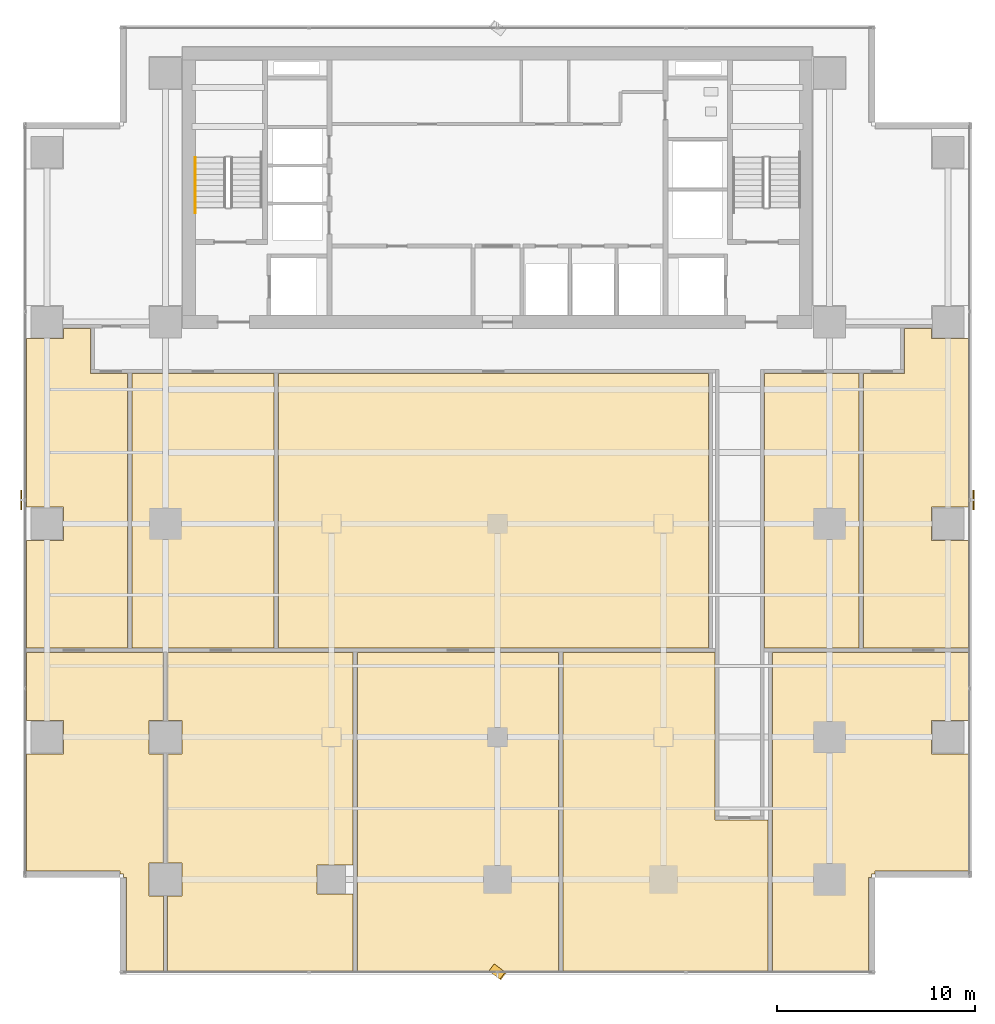
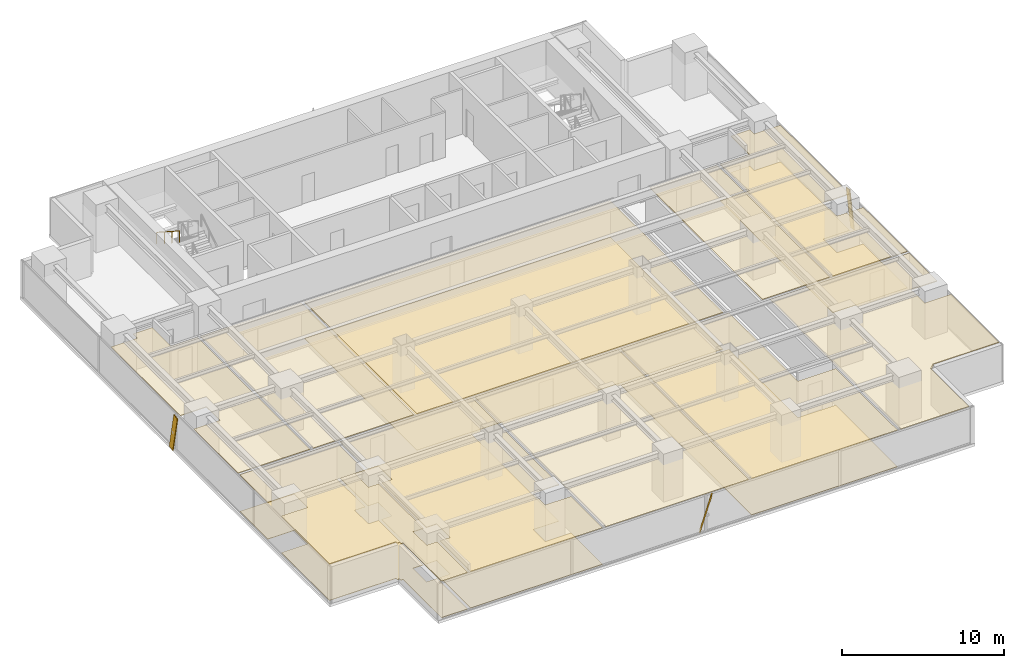
# One storey, part 24 of 28: 15 coverings, 3 shading devices, 1 railing.
"""IFC4 building model written with IfcOpenShell, lengths in metres."""

import ifcopenshell
import ifcopenshell.guid

model = None  # the IFC model being written
_history = None  # IfcOwnerHistory: only IFC2X3 demands one
_inside = {}  # id of a spatial element -> (the spatial element, [elements in it])
_under = {}  # id of a project, library or spatial element -> (it, [spatial elements below it])
_declared = {}  # id of a project -> (the project, [libraries it declares])
_typed = {}  # id of a type object -> (the type object, [elements of that type])
_made_of = {}  # id of a material, layer set ... -> (it, [elements and type objects made of it])


def new_model(schema):
    """Start an empty IFC model of exactly this schema.

    Asked for "IFC4X3", IfcOpenShell would pick the latest addendum, in which some entities
    have other attributes; the version numbers below select the first issue.
    IFC2X3 requires an IfcOwnerHistory on every rooted entity: one is made here for all.
    """
    global model, _history
    if schema == "IFC4X3":
        model = ifcopenshell.file(schema_version=(4, 3, 0, 0))
    else:
        model = ifcopenshell.file(schema=schema)
    _inside.clear()
    _under.clear()
    _declared.clear()
    _typed.clear()
    _made_of.clear()
    _history = None
    if model.schema == "IFC2X3":
        org = make("IfcOrganization", Name="unknown")
        user = make(
            "IfcPersonAndOrganization",
            ThePerson=make("IfcPerson", FamilyName="unknown"),
            TheOrganization=org,
        )
        app = make(
            "IfcApplication",
            ApplicationDeveloper=org,
            Version="unknown",
            ApplicationFullName="unknown",
            ApplicationIdentifier="unknown",
        )
        _history = make(
            "IfcOwnerHistory",
            OwningUser=user,
            OwningApplication=app,
            ChangeAction="ADDED",
            CreationDate=0,
        )
    return model


def make(cls, **values):
    """One entity of the class cls with the attributes given. An attribute that is None is left unset."""
    return model.create_entity(
        cls, **{name: value for name, value in values.items() if value is not None}
    )


def rooted(cls, **values):
    """An entity with a GlobalId (a new one), such as an element, a storey or a relation."""
    return make(cls, GlobalId=ifcopenshell.guid.new(), OwnerHistory=_history, **values)


def si_unit(unit_type, name, prefix=None):
    """IfcSIUnit, for example si_unit("LENGTHUNIT", "METRE", prefix="MILLI")."""
    return make("IfcSIUnit", UnitType=unit_type, Prefix=prefix, Name=name)


def assignment(units):
    """IfcUnitAssignment: the units of a project."""
    return None if units is None else make("IfcUnitAssignment", Units=units)


def point(xyz):
    """IfcCartesianPoint."""
    return None if xyz is None else make("IfcCartesianPoint", Coordinates=xyz)


def direction(xyz):
    """IfcDirection."""
    return None if xyz is None else make("IfcDirection", DirectionRatios=xyz)


def frame(location, z_axis=None, x_axis=None):
    """IfcAxis2Placement3D, a coordinate frame: its origin and axes. An axis left out is left unset."""
    return make(
        "IfcAxis2Placement3D",
        Location=point(location),
        Axis=direction(z_axis),
        RefDirection=direction(x_axis),
    )


def frame_2d(location, x_axis=None):
    """IfcAxis2Placement2D, a coordinate frame in the plane: its origin and x axis."""
    return make(
        "IfcAxis2Placement2D", Location=point(location), RefDirection=direction(x_axis)
    )


def origin():
    """The frame at (0, 0, 0) with its axes left unset."""
    return frame((0.0, 0.0, 0.0))


def origin_2d():
    """The frame at (0, 0) in the plane with its x axis left unset."""
    return frame_2d((0.0, 0.0))


def place(relative_to, where):
    """IfcLocalPlacement: puts the frame where relative to a parent placement (None: the world)."""
    return make(
        "IfcLocalPlacement", PlacementRelTo=relative_to, RelativePlacement=where
    )


def context(
    kind, dimensions, precision=None, world=None, true_north=None, identifier=None
):
    """IfcGeometricRepresentationContext, for example the 3D "Model" context."""
    return make(
        "IfcGeometricRepresentationContext",
        ContextIdentifier=identifier,
        ContextType=kind,
        CoordinateSpaceDimension=dimensions,
        Precision=precision,
        WorldCoordinateSystem=world,
        TrueNorth=true_north,
    )


def subcontext(parent, identifier, kind, view, scale=None):
    """IfcGeometricRepresentationSubContext, for example "Body" below "Model"."""
    return make(
        "IfcGeometricRepresentationSubContext",
        ContextIdentifier=identifier,
        ContextType=kind,
        ParentContext=parent,
        TargetScale=scale,
        TargetView=view,
    )


def project(units=None, contexts=None):
    """IfcProject with its units and contexts."""
    return rooted(
        "IfcProject",
        Name="project",
        RepresentationContexts=contexts,
        UnitsInContext=assignment(units),
    )


def spatial(cls, under=None, at=None, **own):
    """A site, building, storey or space (cls), placed at a placement, below another one or the project."""
    s = rooted(cls, ObjectPlacement=at, **own)
    if under is not None:
        _under.setdefault(under.id(), (under, []))[1].append(s)
    return s


def polyline(points):
    """IfcPolyline through the points."""
    return make("IfcPolyline", Points=[point(p) for p in points])


def profile(cls, at=None, kind="AREA", **sizes):
    """A parametric profile (cls). Its sizes go by their IFC names, for example OverallWidth=200.0."""
    return make(cls, ProfileType=kind, Position=at, **sizes)


def rectangle(**sizes):
    """IfcRectangleProfileDef."""
    return profile("IfcRectangleProfileDef", **sizes)


def outline(outer, holes=None, kind="AREA"):
    """IfcArbitraryClosedProfileDef: a profile drawn as a closed curve; with holes, ...WithVoids."""
    if holes is None:
        return make("IfcArbitraryClosedProfileDef", ProfileType=kind, OuterCurve=outer)
    return make(
        "IfcArbitraryProfileDefWithVoids",
        ProfileType=kind,
        OuterCurve=outer,
        InnerCurves=holes,
    )


def extrude(swept, where, along, depth):
    """IfcExtrudedAreaSolid: the profile swept, set in the frame where, extruded along a direction by depth."""
    return make(
        "IfcExtrudedAreaSolid",
        SweptArea=swept,
        Position=where,
        ExtrudedDirection=direction(along),
        Depth=depth,
    )


def shape(context_of_items, identifier, shape_type, items):
    """IfcShapeRepresentation: the items that make up one representation, for example the "Body"."""
    return make(
        "IfcShapeRepresentation",
        ContextOfItems=context_of_items,
        RepresentationIdentifier=identifier,
        RepresentationType=shape_type,
        Items=items,
    )


def source(mapping_origin, context_of_items, identifier, shape_type, items):
    """IfcRepresentationMap: a shape defined once, which mapped items show again and again."""
    return make(
        "IfcRepresentationMap",
        MappingOrigin=mapping_origin,
        MappedRepresentation=shape(context_of_items, identifier, shape_type, items),
    )


def transform(
    local_origin,
    x_axis=None,
    y_axis=None,
    z_axis=None,
    scale=None,
    scale2=None,
    scale3=None,
    uniform=True,
):
    """IfcCartesianTransformationOperator3D, or its non-uniform kind. x_axis, y_axis, z_axis: its Axis1, 2, 3."""
    if uniform:
        return make(
            "IfcCartesianTransformationOperator3D",
            Axis1=direction(x_axis),
            Axis2=direction(y_axis),
            LocalOrigin=point(local_origin),
            Scale=scale,
            Axis3=direction(z_axis),
        )
    return make(
        "IfcCartesianTransformationOperator3DnonUniform",
        Axis1=direction(x_axis),
        Axis2=direction(y_axis),
        LocalOrigin=point(local_origin),
        Scale=scale,
        Axis3=direction(z_axis),
        Scale2=scale2,
        Scale3=scale3,
    )


def mapped(mapping_source, mapping_target):
    """IfcMappedItem: shows the shape of a source again, moved by a transform."""
    return make(
        "IfcMappedItem", MappingSource=mapping_source, MappingTarget=mapping_target
    )


def material(Name=None, Category=None):
    """IfcMaterial."""
    return make("IfcMaterial", Name=Name, Category=Category)


def layer(
    of_material, thickness, ventilated=None, Name=None, Category=None, Priority=None
):
    """IfcMaterialLayer: one layer of a wall or slab, of a material (None: an air gap)."""
    return make(
        "IfcMaterialLayer",
        Material=of_material,
        LayerThickness=thickness,
        IsVentilated=ventilated,
        Name=Name,
        Category=Category,
        Priority=Priority,
    )


def layer_set(layers, Name=None):
    """IfcMaterialLayerSet."""
    return make("IfcMaterialLayerSet", MaterialLayers=layers, LayerSetName=Name)


def material_profile(
    of_material, cross_section, Name=None, Category=None, Priority=None
):
    """IfcMaterialProfile: a cross section and its material."""
    return make(
        "IfcMaterialProfile",
        Name=Name,
        Material=of_material,
        Profile=cross_section,
        Priority=Priority,
        Category=Category,
    )


def profile_set(profiles, Name=None, composite=None):
    """IfcMaterialProfileSet."""
    return make(
        "IfcMaterialProfileSet",
        Name=Name,
        MaterialProfiles=profiles,
        CompositeProfile=composite,
    )


def made_of(thing, what):
    """Note that an element or type object is made of a material, layer set ...; save() writes the relation."""
    if what is not None:
        _made_of.setdefault(what.id(), (what, []))[1].append(thing)
    return thing


def type_object(cls, material=None, **own):
    """A type object (cls), such as IfcWallType, which elements share."""
    return made_of(rooted(cls, **own), material)


def element(
    cls,
    number,
    at=None,
    inside=None,
    cuts=None,
    type_object=None,
    material=None,
    context=None,
    identifier="Body",
    shape_type=None,
    held_by="IfcProductDefinitionShape",
    body=None,
    shapes=None,
    **own,
):
    """One element of the class cls, such as IfcWall. Its Tag is "e" and its number.

    at: its placement. inside: the storey or other place that contains it. cuts: it is an
    opening in that element (IfcRelVoidsElement). A single representation is given by context,
    identifier, shape_type and body (its items); several are given by shapes. held_by: the class
    of the entity that holds the representations. save() writes the other relations.
    """
    e = rooted(cls, Tag="e%d" % number, ObjectPlacement=at, **own)
    if body is not None:
        shapes = [shape(context, identifier, shape_type, body)]
    if shapes is not None:
        e.Representation = make(held_by, Representations=shapes)
    if inside is not None:
        _inside.setdefault(inside.id(), (inside, []))[1].append(e)
    if cuts is not None:
        rooted(
            "IfcRelVoidsElement", RelatingBuildingElement=cuts, RelatedOpeningElement=e
        )
    if type_object is not None:
        _typed.setdefault(type_object.id(), (type_object, []))[1].append(e)
    return made_of(e, material)


def aggregate(whole, parts):
    """IfcRelAggregates: a whole, such as a stair, and the parts it consists of."""
    return rooted("IfcRelAggregates", RelatingObject=whole, RelatedObjects=parts)


def save(model, path):
    """Write the relations noted so far, then the file.

    IfcRelAggregates (storeys below a building ...), IfcRelContainedInSpatialStructure (elements
    in a storey), IfcRelDefinesByType, IfcRelAssociatesMaterial and IfcRelDeclares: one each for
    every whole, place, type object, material and project.
    """
    for whole, parts in _under.values():
        aggregate(whole, parts)
    for where, things in _inside.values():
        rooted(
            "IfcRelContainedInSpatialStructure",
            RelatedElements=things,
            RelatingStructure=where,
        )
    for kind, things in _typed.values():
        rooted("IfcRelDefinesByType", RelatedObjects=things, RelatingType=kind)
    for what, things in _made_of.values():
        rooted("IfcRelAssociatesMaterial", RelatedObjects=things, RelatingMaterial=what)
    for by, libraries in _declared.values():
        rooted("IfcRelDeclares", RelatingContext=by, RelatedDefinitions=libraries)
    model.write(path)


model = new_model("IFC4")

# Units and contexts
model_context = context("Model", 3, precision=1e-05, world=origin(), true_north=direction((0.0, 1.0)))
body_context = subcontext(model_context, "Body", "Model", "MODEL_VIEW")
ifc_project = project(units=[si_unit("LENGTHUNIT", "METRE"), si_unit("AREAUNIT", "SQUARE_METRE"), si_unit("VOLUMEUNIT", "CUBIC_METRE"), si_unit("PLANEANGLEUNIT", "RADIAN"), si_unit("MASSUNIT", "GRAM", prefix="KILO")], contexts=[model_context])

# Site, building, storey
site_placement = place(None, origin())
site = spatial("IfcSite", under=ifc_project, at=site_placement, CompositionType="ELEMENT")
building_placement = place(site_placement, origin())
building = spatial("IfcBuilding", under=site, at=building_placement, Name="Sumidabori Civic Tower", CompositionType="ELEMENT")
storey_placement = place(building_placement, frame((0.0, 0.0, 171.199951171875)))
storey = spatial("IfcBuildingStorey", under=building, at=storey_placement, Name="L44", CompositionType="ELEMENT", Elevation=171.199951171875)

# Coverings
ifc_material_1 = material(Name="Anodised Bronze Baffle Ceiling")
ifc_layer_1 = layer(ifc_material_1, 0.054931640625, Name="Anodised Bronze Baffle Ceiling")
ifc_layer_set_1 = layer_set([ifc_layer_1], Name="Anodised Bronze Baffle Ceiling")
covering_type_1 = type_object("IfcCoveringType", Name="CV-CEIL-AC3", PredefinedType="CEILING", material=ifc_layer_set_1)
covering_1_placement = place(storey_placement, frame((0.0, 0.0, 2.72998046875)))
element("IfcCovering", 1, at=covering_1_placement, inside=storey, type_object=covering_type_1, Name="Room Acoustic Ceiling L44-02", PredefinedType="CEILING", context=body_context, shape_type="SweptSolid", body=[
    extrude(outline(polyline([(-21.9599609375, 9.360107421875), (-21.9599609375, 9.889892578125), (-20.60009765625, 9.889892578125), (-20.60009765625, 7.60009765625), (-18.7099609375, 7.60009765625), (-18.7099609375, -6.2900390625), (-23.830078125, -6.2900390625), (-23.830078125, -0.840087890625), (-21.9599609375, -0.840087890625), (-21.9599609375, 0.840087890625), (-23.830078125, 0.840087890625), (-23.830078125, 9.360107421875), (-21.9599609375, 9.360107421875)])), origin(), (0.0, 0.0, 1.0), 0.05517578125),
])
covering_2_placement = place(storey_placement, frame((0.0, 0.0, 2.72998046875)))
element("IfcCovering", 2, at=covering_2_placement, inside=storey, type_object=covering_type_1, Name="Room Acoustic Ceiling L44-03", PredefinedType="CEILING", context=body_context, shape_type="SweptSolid", body=[
    extrude(outline(polyline([(18.510009765625, 7.60009765625), (20.60009765625, 7.60009765625), (20.60009765625, 9.889892578125), (21.9599609375, 9.889892578125), (21.9599609375, 9.360107421875), (23.830078125, 9.360107421875), (23.830078125, 0.840087890625), (21.9599609375, 0.840087890625), (21.9599609375, -0.840087890625), (23.830078125, -0.840087890625), (23.830078125, -6.2900390625), (18.510009765625, -6.2900390625), (18.510009765625, 7.60009765625)])), origin(), (0.0, 0.0, 1.0), 0.05517578125),
])
covering_3_placement = place(storey_placement, frame((0.0, 0.0, 2.72998046875)))
element("IfcCovering", 3, at=covering_3_placement, inside=storey, type_object=covering_type_1, Name="Room Acoustic Ceiling L44-04", PredefinedType="CEILING", context=body_context, shape_type="SweptSolid", body=[
    extrude(outline(polyline([(-18.489990234375, 7.60009765625), (-11.31005859375, 7.60009765625), (-11.31005859375, -6.2900390625), (-18.489990234375, -6.2900390625), (-18.489990234375, 7.60009765625)])), origin(), (0.0, 0.0, 1.0), 0.05517578125),
])
covering_4_placement = place(storey_placement, frame((0.0, 0.0, 2.72998046875)))
element("IfcCovering", 4, at=covering_4_placement, inside=storey, type_object=covering_type_1, Name="Room Acoustic Ceiling L44-05", PredefinedType="CEILING", context=body_context, shape_type="SweptSolid", body=[
    extrude(outline(polyline([(-11.090087890625, 7.60009765625), (10.68994140625, 7.60009765625), (10.68994140625, -6.2900390625), (-11.090087890625, -6.2900390625), (-11.090087890625, 7.60009765625)])), origin(), (0.0, 0.0, 1.0), 0.05517578125),
])
covering_5_placement = place(storey_placement, frame((0.0, 0.0, 2.72998046875)))
element("IfcCovering", 5, at=covering_5_placement, inside=storey, type_object=covering_type_1, Name="Room Acoustic Ceiling L44-06", PredefinedType="CEILING", context=body_context, shape_type="SweptSolid", body=[
    extrude(outline(polyline([(13.5, 7.60009765625), (18.2900390625, 7.60009765625), (18.2900390625, -6.2900390625), (13.5, -6.2900390625), (13.5, 7.60009765625)])), origin(), (0.0, 0.0, 1.0), 0.05517578125),
])
covering_6_placement = place(storey_placement, frame((0.0, 0.0, 2.72998046875)))
element("IfcCovering", 6, at=covering_6_placement, inside=storey, type_object=covering_type_1, Name="Room Acoustic Ceiling L44-07", PredefinedType="CEILING", context=body_context, shape_type="SweptSolid", body=[
    extrude(outline(polyline([(-21.9599609375, -11.639892578125), (-21.9599609375, -9.9599609375), (-23.830078125, -9.9599609375), (-23.830078125, -6.510009765625), (-16.909912109375, -6.510009765625), (-16.909912109375, -9.9599609375), (-17.639892578125, -9.9599609375), (-17.639892578125, -11.639892578125), (-16.909912109375, -11.639892578125), (-16.909912109375, -17.159912109375), (-17.639892578125, -17.159912109375), (-17.639892578125, -18.840087890625), (-16.909912109375, -18.840087890625), (-16.909912109375, -22.6298828125), (-18.77197265625, -22.6298828125), (-18.77197265625, -17.89208984375), (-18.929931640625, -17.89208984375), (-18.929931640625, -17.72998046875), (-19.092041015625, -17.72998046875), (-19.092041015625, -17.572021484375), (-23.830078125, -17.572021484375), (-23.830078125, -11.639892578125), (-21.9599609375, -11.639892578125)])), origin(), (0.0, 0.0, 1.0), 0.05517578125),
])
covering_7_placement = place(storey_placement, frame((0.0, 0.0, 2.72998046875)))
element("IfcCovering", 7, at=covering_7_placement, inside=storey, type_object=covering_type_1, Name="Room Acoustic Ceiling L44-08", PredefinedType="CEILING", context=body_context, shape_type="SweptSolid", body=[
    extrude(outline(polyline([(13.909912109375, -6.510009765625), (23.830078125, -6.510009765625), (23.830078125, -9.9599609375), (21.9599609375, -9.9599609375), (21.9599609375, -11.639892578125), (23.830078125, -11.639892578125), (23.830078125, -17.572021484375), (19.092041015625, -17.572021484375), (19.092041015625, -17.72998046875), (18.929931640625, -17.72998046875), (18.929931640625, -17.89208984375), (18.77197265625, -17.89208984375), (18.77197265625, -22.6298828125), (13.909912109375, -22.6298828125), (13.909912109375, -6.510009765625)])), origin(), (0.0, 0.0, 1.0), 0.05517578125),
])
covering_8_placement = place(storey_placement, frame((0.0, 0.0, 2.72998046875)))
element("IfcCovering", 8, at=covering_8_placement, inside=storey, type_object=covering_type_1, Name="Room Acoustic Ceiling L44-09", PredefinedType="CEILING", context=body_context, shape_type="SweptSolid", body=[
    extrude(outline(polyline([(-16.68994140625, -18.840087890625), (-15.9599609375, -18.840087890625), (-15.9599609375, -17.159912109375), (-16.68994140625, -17.159912109375), (-16.68994140625, -11.639892578125), (-15.9599609375, -11.639892578125), (-15.9599609375, -9.9599609375), (-16.68994140625, -9.9599609375), (-16.68994140625, -6.510009765625), (-7.31005859375, -6.510009765625), (-7.31005859375, -17.260009765625), (-9.139892578125, -17.260009765625), (-9.139892578125, -18.739990234375), (-7.31005859375, -18.739990234375), (-7.31005859375, -22.6298828125), (-16.68994140625, -22.6298828125), (-16.68994140625, -18.840087890625)])), origin(), (0.0, 0.0, 1.0), 0.05517578125),
])
covering_9_placement = place(storey_placement, frame((0.0, 0.0, 2.72998046875)))
element("IfcCovering", 9, at=covering_9_placement, inside=storey, type_object=covering_type_1, Name="Room Acoustic Ceiling L44-10", PredefinedType="CEILING", context=body_context, shape_type="SweptSolid", body=[
    extrude(outline(polyline([(-7.090087890625, -6.510009765625), (3.090087890625, -6.510009765625), (3.090087890625, -22.6298828125), (-7.090087890625, -22.6298828125), (-7.090087890625, -6.510009765625)])), origin(), (0.0, 0.0, 1.0), 0.05517578125),
])
covering_10_placement = place(storey_placement, frame((0.0, 0.0, 2.72998046875)))
element("IfcCovering", 10, at=covering_10_placement, inside=storey, type_object=covering_type_1, Name="Room Acoustic Ceiling L44-11", PredefinedType="CEILING", context=body_context, shape_type="SweptSolid", body=[
    extrude(outline(polyline([(3.31005859375, -6.510009765625), (11.0, -6.510009765625), (11.0, -15.0), (13.68994140625, -15.0), (13.68994140625, -22.6298828125), (3.31005859375, -22.6298828125), (3.31005859375, -6.510009765625)])), origin(), (0.0, 0.0, 1.0), 0.05517578125),
])
ifc_material_2 = material(Name="Honed Terrazzo Tile Flooring")
ifc_layer_2 = layer(ifc_material_2, 0.030029296875, Name="Honed Terrazzo Tile Flooring")
ifc_layer_set_2 = layer_set([ifc_layer_2], Name="Honed Terrazzo Tile Flooring")
covering_type_2 = type_object("IfcCoveringType", Name="CV-FLR-TER", PredefinedType="FLOORING", material=ifc_layer_set_2)
covering_11_placement = place(storey_placement, origin())
element("IfcCovering", 11, at=covering_11_placement, inside=storey, type_object=covering_type_2, Name="Room Terrazzo Floor L44-03", PredefinedType="FLOORING", context=body_context, shape_type="SweptSolid", body=[
    extrude(outline(polyline([(18.510009765625, 7.60009765625), (20.60009765625, 7.60009765625), (20.60009765625, 9.889892578125), (21.9599609375, 9.889892578125), (21.9599609375, 9.360107421875), (23.830078125, 9.360107421875), (23.830078125, 0.840087890625), (21.9599609375, 0.840087890625), (21.9599609375, -0.840087890625), (23.830078125, -0.840087890625), (23.830078125, -6.2900390625), (18.510009765625, -6.2900390625), (18.510009765625, 7.60009765625)])), origin(), (0.0, 0.0, 1.0), 0.030029296875),
])
covering_12_placement = place(storey_placement, origin())
element("IfcCovering", 12, at=covering_12_placement, inside=storey, type_object=covering_type_2, Name="Room Terrazzo Floor L44-05", PredefinedType="FLOORING", context=body_context, shape_type="SweptSolid", body=[
    extrude(outline(polyline([(-11.090087890625, 7.60009765625), (10.68994140625, 7.60009765625), (10.68994140625, -6.2900390625), (-11.090087890625, -6.2900390625), (-11.090087890625, 7.60009765625)])), origin(), (0.0, 0.0, 1.0), 0.030029296875),
])
covering_13_placement = place(storey_placement, origin())
element("IfcCovering", 13, at=covering_13_placement, inside=storey, type_object=covering_type_2, Name="Room Terrazzo Floor L44-07", PredefinedType="FLOORING", context=body_context, shape_type="SweptSolid", body=[
    extrude(outline(polyline([(-21.9599609375, -11.639892578125), (-21.9599609375, -9.9599609375), (-23.830078125, -9.9599609375), (-23.830078125, -6.510009765625), (-16.909912109375, -6.510009765625), (-16.909912109375, -9.9599609375), (-17.639892578125, -9.9599609375), (-17.639892578125, -11.639892578125), (-16.909912109375, -11.639892578125), (-16.909912109375, -17.159912109375), (-17.639892578125, -17.159912109375), (-17.639892578125, -18.840087890625), (-16.909912109375, -18.840087890625), (-16.909912109375, -22.6298828125), (-18.77197265625, -22.6298828125), (-18.77197265625, -17.89208984375), (-18.929931640625, -17.89208984375), (-18.929931640625, -17.72998046875), (-19.092041015625, -17.72998046875), (-19.092041015625, -17.572021484375), (-23.830078125, -17.572021484375), (-23.830078125, -11.639892578125), (-21.9599609375, -11.639892578125)])), origin(), (0.0, 0.0, 1.0), 0.030029296875),
])
covering_14_placement = place(storey_placement, origin())
element("IfcCovering", 14, at=covering_14_placement, inside=storey, type_object=covering_type_2, Name="Room Terrazzo Floor L44-09", PredefinedType="FLOORING", context=body_context, shape_type="SweptSolid", body=[
    extrude(outline(polyline([(-16.68994140625, -18.840087890625), (-15.9599609375, -18.840087890625), (-15.9599609375, -17.159912109375), (-16.68994140625, -17.159912109375), (-16.68994140625, -11.639892578125), (-15.9599609375, -11.639892578125), (-15.9599609375, -9.9599609375), (-16.68994140625, -9.9599609375), (-16.68994140625, -6.510009765625), (-7.31005859375, -6.510009765625), (-7.31005859375, -17.260009765625), (-9.139892578125, -17.260009765625), (-9.139892578125, -18.739990234375), (-7.31005859375, -18.739990234375), (-7.31005859375, -22.6298828125), (-16.68994140625, -22.6298828125), (-16.68994140625, -18.840087890625)])), origin(), (0.0, 0.0, 1.0), 0.030029296875),
])
covering_15_placement = place(storey_placement, origin())
element("IfcCovering", 15, at=covering_15_placement, inside=storey, type_object=covering_type_2, Name="Room Terrazzo Floor L44-11", PredefinedType="FLOORING", context=body_context, shape_type="SweptSolid", body=[
    extrude(outline(polyline([(3.31005859375, -6.510009765625), (11.0, -6.510009765625), (11.0, -15.0), (13.68994140625, -15.0), (13.68994140625, -22.6298828125), (3.31005859375, -22.6298828125), (3.31005859375, -6.510009765625)])), origin(), (0.0, 0.0, 1.0), 0.030029296875),
])

# Railing
ifc_material_3 = material(Name="Stainless Steel Hairline Finish", Category="steel")
railing_type = type_object("IfcRailingType", Name="RL-HANDRAIL", PredefinedType="HANDRAIL", material=ifc_material_3)
railing_placement = place(storey_placement, frame((-15.2900390625, 18.52001953125, 1.97998046875)))
element("IfcRailing", 16, at=railing_placement, inside=storey, type_object=railing_type, Name="L44 ST-1 stair handrail 2", PredefinedType="HANDRAIL", context=body_context, shape_type="SweptSolid", body=[
    extrude(rectangle(XDim=0.048095703125, YDim=0.048095703125, at=origin_2d()), frame((0.0, 0.0, 0.8759765625), z_axis=(0.0, -0.84064222762, 0.54159084662), x_axis=(1.0, 0.0, 0.0)), (0.0, 0.0, 1.0), 3.330810546875),
    extrude(rectangle(XDim=0.0419921875, YDim=0.0419921875, at=origin_2d()), origin(), (0.0, 0.0, 1.0), 0.851806640625),
    extrude(rectangle(XDim=0.0419921875, YDim=0.0419921875, at=origin_2d()), frame((0.0, -0.933349609375, 0.601318359375)), (0.0, 0.0, 1.0), 0.851806640625),
    extrude(rectangle(XDim=0.0419921875, YDim=0.0419921875, at=origin_2d()), frame((0.0, -1.86669921875, 1.20263671875)), (0.0, 0.0, 1.0), 0.851806640625),
    extrude(rectangle(XDim=0.0419921875, YDim=0.0419921875, at=origin_2d()), frame((0.0, -2.800048828125, 1.803955078125)), (0.0, 0.0, 1.0), 0.851806640625),
])

# Shading devices
ifc_material_4 = material(Name="Anodised Bronze Aluminium AW-6063-T6", Category="aluminium")
ifc_material_profile = material_profile(ifc_material_4, rectangle(XDim=0.06005859375, YDim=0.449951171875, at=origin_2d()), Name="BRONZE FIN 450x60")
ifc_profile_set = profile_set([ifc_material_profile], Name="Anodised Bronze Aluminium AW-6063-T6")
shading_device_type = type_object("IfcShadingDeviceType", Name="SH-FIN-450", PredefinedType="USERDEFINED", material=ifc_profile_set)
shared_shape_1 = source(origin(), body_context, "Body", "SweptSolid", [
    extrude(rectangle(XDim=0.06005859375, YDim=0.449951171875, at=origin_2d()), origin(), (0.0, 0.0, 1.0), 2.789306640625),
])
shading_device_placement = place(storey_placement, frame((-0.280029296875, -22.469970703125, 0.02001953125), z_axis=(0.200794136335, -0.150551837182, 0.967995794998), x_axis=(0.774477654896, -0.580689436103, -0.250966413819)))
element("IfcShadingDevice", 17, at=shading_device_placement, inside=storey, type_object=shading_device_type, Name="Bronze Anodised Diagonal Fin L44-02", ObjectType="FIN", PredefinedType="USERDEFINED", context=body_context, shape_type="MappedRepresentation", body=[
    mapped(shared_shape_1, transform((0.0, 0.0, 0.0), x_axis=(1.0, 0.0, 0.0), y_axis=(0.0, 1.0, 0.0), z_axis=(0.0, 0.0, 1.0), scale=1.0)),
])
shared_shape_2 = source(origin(), body_context, "Body", "SweptSolid", [
    extrude(rectangle(XDim=0.06005859375, YDim=0.449951171875, at=origin_2d()), origin(), (0.0, 0.0, 1.0), 2.75732421875),
])
for number, where, z_axis, x_axis, name in (
    (18, (24.090087890625, 0.919921875, 0.02001953125), (0.0, 0.203109150817, 0.979156102393), (-1.0, 0.0, 0.0), "Bronze Anodised Diagonal Fin L44-02"),
    (19, (-24.090087890625, 1.47998046875, 0.02001953125), (0.0, -0.203109150817, 0.979156102393), (-1.0, 0.0, 0.0), "Bronze Anodised Diagonal Fin L44-02"),
):
    element("IfcShadingDevice", number, at=place(storey_placement, frame(where, z_axis=z_axis, x_axis=x_axis)), inside=storey, type_object=shading_device_type, Name=name, ObjectType="FIN", PredefinedType="USERDEFINED", context=body_context, shape_type="MappedRepresentation", body=[
        mapped(shared_shape_2, transform((0.0, 0.0, 0.0), x_axis=(1.0, 0.0, 0.0), y_axis=(0.0, 1.0, 0.0), z_axis=(0.0, 0.0, 1.0), scale=1.0)),
    ])

save(model, "model.ifc")
